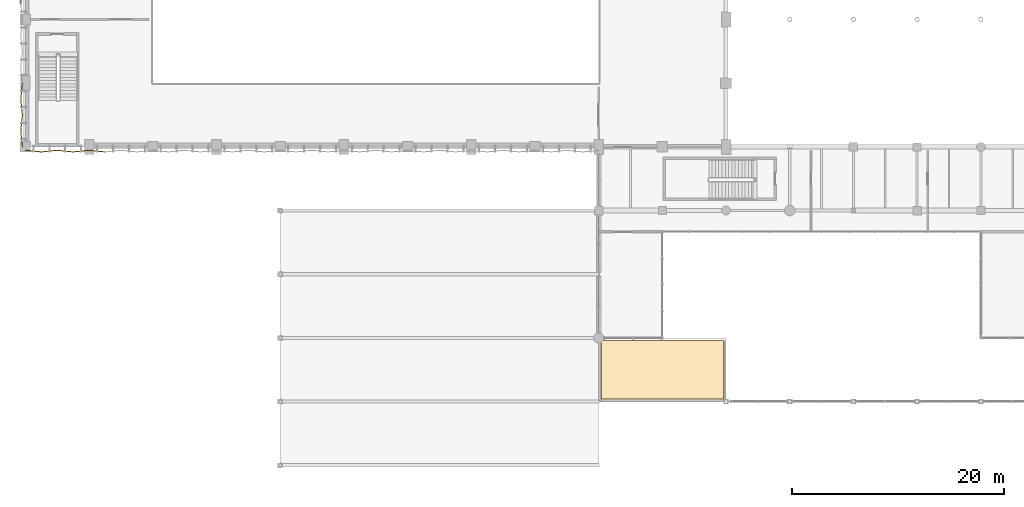
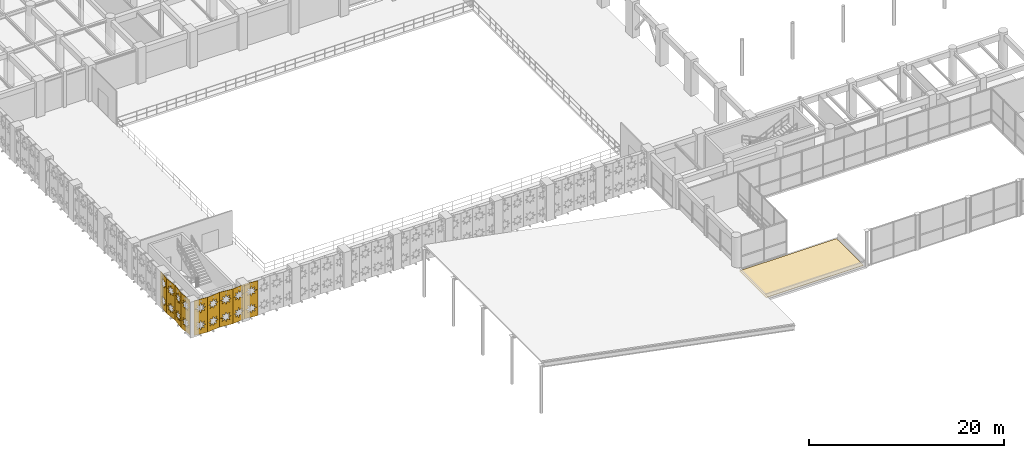
# One storey, part 120 of 133: 10 coverings.
"""IFC4 building model written with IfcOpenShell, lengths in metres."""

from ifc_helpers import new_model, si_unit, direction, frame, origin, place, context, subcontext, project, spatial, polyline, outline, extrude, material, layer, layer_set, type_object, element, save


model = new_model("IFC4")

# Units and contexts
model_context = context("Model", 3, precision=1e-05, world=origin(), true_north=direction((0.0, 1.0)))
body_context = subcontext(model_context, "Body", "Model", "MODEL_VIEW")
ifc_project = project(units=[si_unit("LENGTHUNIT", "METRE"), si_unit("AREAUNIT", "SQUARE_METRE"), si_unit("VOLUMEUNIT", "CUBIC_METRE"), si_unit("PLANEANGLEUNIT", "RADIAN"), si_unit("MASSUNIT", "GRAM", prefix="KILO"), si_unit("THERMODYNAMICTEMPERATUREUNIT", "KELVIN"), si_unit("POWERUNIT", "WATT")], contexts=[model_context])

# Site, building, storey
site_placement = place(None, origin())
site = spatial("IfcSite", under=ifc_project, at=site_placement, CompositionType="ELEMENT")
building_placement = place(site_placement, origin())
building = spatial("IfcBuilding", under=site, at=building_placement, Name="Phaisarnlok Congress Hotel", CompositionType="ELEMENT")
storey_placement = place(building_placement, frame((0.0, 0.0, 6.0)))
storey = spatial("IfcBuildingStorey", under=building, at=storey_placement, Name="L01", CompositionType="ELEMENT", Elevation=6.0)

# Coverings
ifc_material_1 = material(Name="TPO Waterproofing Membrane & Rigid PIR Insulation", Category="other")
ifc_layer_1 = layer(ifc_material_1, 0.050048828125, Name="TPO Waterproofing Membrane & Rigid PIR Insulation")
ifc_layer_set_1 = layer_set([ifc_layer_1], Name="TPO Waterproofing Membrane & Rigid PIR Insulation")
covering_type_1 = type_object("IfcCoveringType", Name="COV-ROOF-MEMB", PredefinedType="ROOFING", material=ifc_layer_set_1)
covering_placement = place(storey_placement, origin())
element("IfcCovering", 1, at=covering_placement, inside=storey, type_object=covering_type_1, Name="Podium roof waterproofing membrane RF-01 (L01 pod_foyer_sw)", PredefinedType="ROOFING", context=body_context, shape_type="SweptSolid", body=[
    extrude(outline(polyline([(54.25, 18.25), (65.75, 18.25), (65.75, 23.75), (54.25, 23.75), (54.25, 18.25)])), origin(), (0.0, 0.0, 1.0), 0.050048828125),
])
ifc_material_2 = material(Name="PVDF White Perforated Aluminium Alloy 5052", Category="aluminium")
ifc_layer_2 = layer(ifc_material_2, 0.0400390625, Name="PVDF White Perforated Aluminium Alloy 5052")
ifc_layer_set_2 = layer_set([ifc_layer_2], Name="PVDF White Perforated Aluminium Alloy 5052")
covering_type_2 = type_object("IfcCoveringType", Name="COV-STAR-FOLD", PredefinedType="CLADDING", material=ifc_layer_set_2)
for number, where, z_axis, x_axis, name in (
    (2, (-0.300048828125, 42.0, 0.06005859375), (0.994517863207, 0.104566819602, 0.0), (-0.104566819602, 0.994517863207, 0.0), "Folded star-perforated hall screen SS-02 (V1W L01)"),
    (3, (-0.457763671875, 43.5, 0.06005859375), (0.994517863207, -0.104566819602, 0.0), (0.104566819602, 0.994517863207, 0.0), "Folded star-perforated hall screen SS-02 (V1W L01)"),
    (4, (-0.300048828125, 45.0, 0.06005859375), (0.994517863207, 0.104566819602, 0.0), (-0.104566819602, 0.994517863207, 0.0), "Folded star-perforated hall screen SS-02 (V1W L01)"),
    (5, (-0.457763671875, 46.5, 0.06005859375), (0.994517863207, -0.104566819602, 0.0), (0.104566819602, 0.994517863207, 0.0), "Folded star-perforated hall screen SS-02 (V1W L01)"),
    (6, (0.0, 41.699951171875, 0.06005859375), (-0.104566819602, -0.994517863207, 0.0), (0.994517863207, -0.104566819602, 0.0), "Folded star-perforated hall screen SS-02 (V1S L01)"),
    (7, (1.5, 41.542236328125, 0.06005859375), (0.104566819602, -0.994517863207, 0.0), (0.994517863207, 0.104566819602, 0.0), "Folded star-perforated hall screen SS-02 (V1S L01)"),
    (8, (3.0, 41.699951171875, 0.06005859375), (-0.104566819602, -0.994517863207, 0.0), (0.994517863207, -0.104566819602, 0.0), "Folded star-perforated hall screen SS-02 (V1S L01)"),
    (9, (4.5, 41.542236328125, 0.06005859375), (0.104566819602, -0.994517863207, 0.0), (0.994517863207, 0.104566819602, 0.0), "Folded star-perforated hall screen SS-02 (V1S L01)"),
    (10, (6.0, 41.699951171875, 0.06005859375), (-0.104566819602, -0.994517863207, 0.0), (0.994517863207, -0.104566819602, 0.0), "Folded star-perforated hall screen SS-02 (V1S L01)"),
):
    element("IfcCovering", number, at=place(storey_placement, frame(where, z_axis=z_axis, x_axis=x_axis)), inside=storey, type_object=covering_type_2, Name=name, PredefinedType="CLADDING", context=body_context, shape_type="SweptSolid", body=[
        extrude(outline(polyline([(0.0, 0.0), (1.5082685344258453, 0.0), (1.5082685344258453, 4.35986328125), (0.0, 4.35986328125), (0.0, 0.0)]), holes=[polyline([(1.0351, 0.9736), (1.2021, 0.6421), (0.8705, 0.8091), (0.7541, 0.4565), (0.6378, 0.8091), (0.3062, 0.6421), (0.4732, 0.9736), (0.1207, 1.09), (0.4732, 1.2064), (0.3062, 1.5379), (0.6378, 1.3709), (0.7541, 1.7235), (0.8705, 1.3709), (1.2021, 1.5379), (1.0351, 1.2064), (1.3876, 1.09), (1.0351, 0.9736)]), polyline([(1.0351, 3.1536), (1.2021, 2.8221), (0.8705, 2.9891), (0.7541, 2.6365), (0.6378, 2.9891), (0.3062, 2.8221), (0.4732, 3.1536), (0.1207, 3.27), (0.4732, 3.3864), (0.3062, 3.7179), (0.6378, 3.5509), (0.7541, 3.9035), (0.8705, 3.5509), (1.2021, 3.7179), (1.0351, 3.3864), (1.3876, 3.27), (1.0351, 3.1536)])]), origin(), (0.0, 0.0, 1.0), 0.0400390625),
    ])

save(model, "model.ifc")
